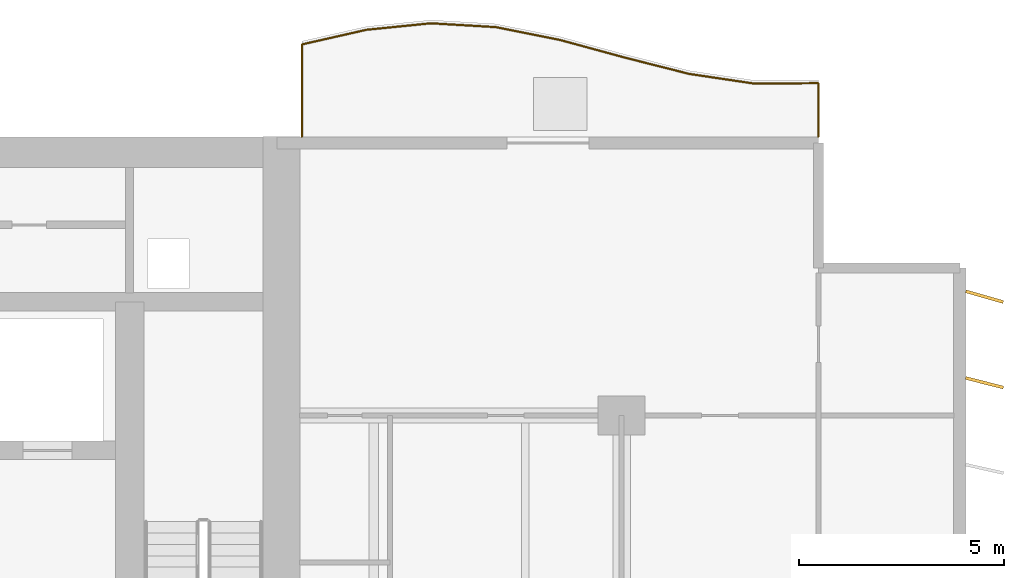
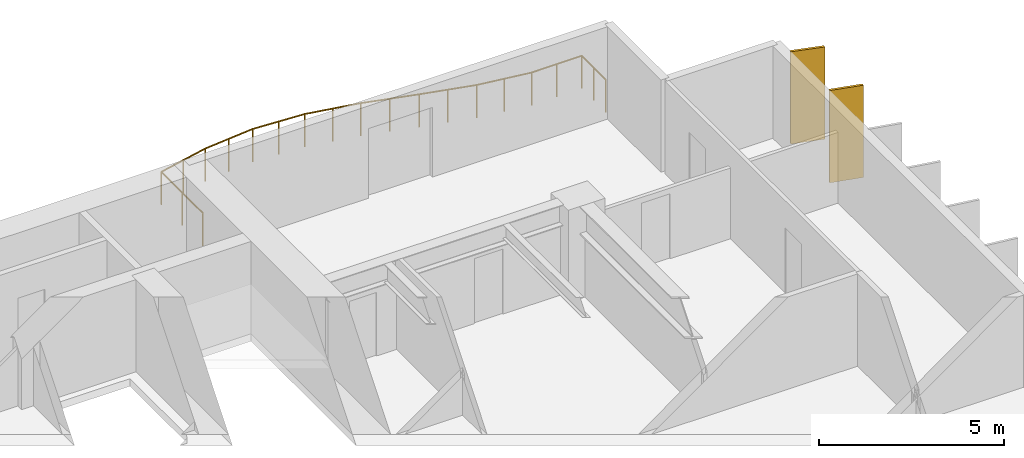
# One storey, part 18 of 18: 2 shading devices, 1 railing.
"""IFC4 building model written with IfcOpenShell, lengths in metres."""

from ifc_helpers import new_model, si_unit, direction, frame, origin, origin_2d, place, context, subcontext, project, spatial, rectangle, circle, extrude, material, material_profile, profile_set, type_object, element, save


model = new_model("IFC4")

# Units and contexts
model_context = context("Model", 3, precision=1e-05, world=origin(), true_north=direction((0.0, 1.0)))
body_context = subcontext(model_context, "Body", "Model", "MODEL_VIEW")
ifc_project = project(units=[si_unit("LENGTHUNIT", "METRE"), si_unit("AREAUNIT", "SQUARE_METRE"), si_unit("VOLUMEUNIT", "CUBIC_METRE"), si_unit("PLANEANGLEUNIT", "RADIAN"), si_unit("MASSUNIT", "GRAM", prefix="KILO")], contexts=[model_context])

# Site, building, storey
site_placement = place(None, origin())
site = spatial("IfcSite", under=ifc_project, at=site_placement, CompositionType="ELEMENT")
building_placement = place(site_placement, origin())
building = spatial("IfcBuilding", under=site, at=building_placement, Name="Caelmar Bay Residences", CompositionType="ELEMENT")
storey_placement = place(building_placement, frame((0.0, 0.0, 56.39990234375)))
storey = spatial("IfcBuildingStorey", under=building, at=storey_placement, Name="L14", CompositionType="ELEMENT", Elevation=56.39990234375)

# Railing
ifc_material_1 = material(Name="Anodised bronze handrail with laminated hurricane glass infill", Category="glass")
railing_type = type_object("IfcRailingType", Name="RL-BAL-1100", PredefinedType="BALUSTRADE", material=ifc_material_1)
railing_placement = place(storey_placement, frame((72.699951171875, 50.60009765625, 0.0)))
element("IfcRailing", 1, at=railing_placement, inside=storey, type_object=railing_type, Name="L14 north_east Balcony Balustrade", PredefinedType="BALUSTRADE", context=body_context, shape_type="SweptSolid", body=[
    extrude(circle(Radius=0.02392578125, at=origin_2d()), frame((0.0, 0.0, 1.076171875), z_axis=(0.0, 1.0, 0.0), x_axis=(-1.0, 0.0, 0.0)), (0.0, 0.0, 1.0), 1.306640625),
    extrude(circle(Radius=0.02392578125, at=origin_2d()), frame((0.0, 1.306640625, 1.076171875), z_axis=(-0.999985282216, -0.005425435572, 0.0), x_axis=(0.005425435572, -0.999985282216, 0.0)), (0.0, 0.0, 1.0), 1.574951171875),
    extrude(circle(Radius=0.02392578125, at=origin_2d()), frame((-1.574951171875, 1.298095703125, 1.076171875), z_axis=(-0.989085424224, 0.147343216971, 0.0), x_axis=(-0.147343216971, -0.989085424224, 0.0)), (0.0, 0.0, 1.0), 1.59228515625),
    extrude(circle(Radius=0.02392578125, at=origin_2d()), frame((-3.14990234375, 1.53271484375, 1.076171875), z_axis=(-0.969386499063, 0.245539844903, 0.0), x_axis=(-0.245539844903, -0.969386499063, 0.0)), (0.0, 0.0, 1.0), 1.624755859375),
    extrude(circle(Radius=0.02392578125, at=origin_2d()), frame((-4.724853515625, 1.931640625, 1.076171875), z_axis=(-0.964901735342, 0.262611197654, 0.0), x_axis=(-0.262611197654, -0.964901735342, 0.0)), (0.0, 0.0, 1.0), 1.632568359375),
    extrude(circle(Radius=0.02392578125, at=origin_2d()), frame((-6.300048828125, 2.3603515625, 1.076171875), z_axis=(-0.980703271668, 0.195502155846, 0.0), x_axis=(-0.195502155846, -0.980703271668, 0.0)), (0.0, 0.0, 1.0), 1.60595703125),
    extrude(circle(Radius=0.02392578125, at=origin_2d()), frame((-7.875, 2.67431640625, 1.076171875), z_axis=(-0.99825135222, 0.059112078212, 0.0), x_axis=(-0.059112078212, -0.99825135222, 0.0)), (0.0, 0.0, 1.0), 1.57763671875),
    extrude(circle(Radius=0.02392578125, at=origin_2d()), frame((-9.449951171875, 2.767578125, 1.076171875), z_axis=(-0.994962082578, -0.100251953755, 0.0), x_axis=(0.100251953755, -0.994962082578, 0.0)), (0.0, 0.0, 1.0), 1.5830078125),
    extrude(circle(Radius=0.02392578125, at=origin_2d()), frame((-11.02490234375, 2.60888671875, 1.076171875), z_axis=(-0.975235218477, -0.221170225489, 0.0), x_axis=(0.221170225489, -0.975235218477, 0.0)), (0.0, 0.0, 1.0), 1.614990234375),
    extrude(circle(Radius=0.02392578125, at=origin_2d()), frame((-12.599853515625, 2.251708984375, 1.076171875), z_axis=(0.0, -1.0, 0.0), x_axis=(1.0, 0.0, 0.0)), (0.0, 0.0, 1.0), 2.251708984375),
    extrude(circle(Radius=0.02099609375, at=origin_2d()), origin(), (0.0, 0.0, 1.0), 1.052001953125),
    extrude(circle(Radius=0.02099609375, at=origin_2d()), frame((0.0, 0.6533203125, 0.0)), (0.0, 0.0, 1.0), 1.052001953125),
    extrude(circle(Radius=0.02099609375, at=origin_2d()), frame((0.0, 1.306640625, 0.0)), (0.0, 0.0, 1.0), 1.052001953125),
    extrude(circle(Radius=0.02099609375, at=origin_2d()), frame((-0.78759765625, 1.30224609375, 0.0)), (0.0, 0.0, 1.0), 1.052001953125),
    extrude(circle(Radius=0.02099609375, at=origin_2d()), frame((-1.574951171875, 1.298095703125, 0.0)), (0.0, 0.0, 1.0), 1.052001953125),
    extrude(circle(Radius=0.02099609375, at=origin_2d()), frame((-2.3623046875, 1.41552734375, 0.0)), (0.0, 0.0, 1.0), 1.052001953125),
    extrude(circle(Radius=0.02099609375, at=origin_2d()), frame((-3.14990234375, 1.53271484375, 0.0)), (0.0, 0.0, 1.0), 1.052001953125),
    extrude(circle(Radius=0.02099609375, at=origin_2d()), frame((-3.9375, 1.732177734375, 0.0)), (0.0, 0.0, 1.0), 1.052001953125),
    extrude(circle(Radius=0.02099609375, at=origin_2d()), frame((-4.724853515625, 1.931640625, 0.0)), (0.0, 0.0, 1.0), 1.052001953125),
    extrude(circle(Radius=0.02099609375, at=origin_2d()), frame((-5.512451171875, 2.14599609375, 0.0)), (0.0, 0.0, 1.0), 1.052001953125),
    extrude(circle(Radius=0.02099609375, at=origin_2d()), frame((-6.300048828125, 2.3603515625, 0.0)), (0.0, 0.0, 1.0), 1.052001953125),
    extrude(circle(Radius=0.02099609375, at=origin_2d()), frame((-7.08740234375, 2.517333984375, 0.0)), (0.0, 0.0, 1.0), 1.052001953125),
    extrude(circle(Radius=0.02099609375, at=origin_2d()), frame((-7.875, 2.67431640625, 0.0)), (0.0, 0.0, 1.0), 1.052001953125),
    extrude(circle(Radius=0.02099609375, at=origin_2d()), frame((-8.66259765625, 2.720947265625, 0.0)), (0.0, 0.0, 1.0), 1.052001953125),
    extrude(circle(Radius=0.02099609375, at=origin_2d()), frame((-9.449951171875, 2.767578125, 0.0)), (0.0, 0.0, 1.0), 1.052001953125),
    extrude(circle(Radius=0.02099609375, at=origin_2d()), frame((-10.2373046875, 2.688232421875, 0.0)), (0.0, 0.0, 1.0), 1.052001953125),
    extrude(circle(Radius=0.02099609375, at=origin_2d()), frame((-11.02490234375, 2.60888671875, 0.0)), (0.0, 0.0, 1.0), 1.052001953125),
    extrude(circle(Radius=0.02099609375, at=origin_2d()), frame((-11.8125, 2.43017578125, 0.0)), (0.0, 0.0, 1.0), 1.052001953125),
    extrude(circle(Radius=0.02099609375, at=origin_2d()), frame((-12.599853515625, 2.251708984375, 0.0)), (0.0, 0.0, 1.0), 1.052001953125),
    extrude(circle(Radius=0.02099609375, at=origin_2d()), frame((-12.599853515625, 1.1259765625, 0.0)), (0.0, 0.0, 1.0), 1.052001953125),
    extrude(circle(Radius=0.02099609375, at=origin_2d()), frame((-12.599853515625, 0.0, 0.0)), (0.0, 0.0, 1.0), 1.052001953125),
])

# Shading devices
ifc_material_2 = material(Name="Anodised architectural bronze aluminium 6063-T6", Category="aluminium")
ifc_material_profile = material_profile(ifc_material_2, rectangle(XDim=0.074951171875, YDim=0.949951171875, at=origin_2d()), Name="BRONZE-FIN-75X950")
ifc_profile_set = profile_set([ifc_material_profile], Name="Anodised architectural bronze aluminium 6063-T6")
shading_device_type = type_object("IfcShadingDeviceType", Name="SHD-FIN-950", PredefinedType="USERDEFINED", material=ifc_profile_set)
for number, where, z_axis, x_axis, name in (
    (2, (76.75, 44.60009765625, 0.0), (0.0, 0.0, 1.0), (0.247337247968, 0.968929453452, 0.0), "L14 East Bronze Solar Fin 19"),
    (3, (76.75, 46.699951171875, 0.0), (0.0, 0.0, 1.0), (0.275637355817, 0.961261695938, 0.0), "L14 East Bronze Solar Fin 20"),
):
    element("IfcShadingDevice", number, at=place(storey_placement, frame(where, z_axis=z_axis, x_axis=x_axis)), inside=storey, type_object=shading_device_type, Name=name, ObjectType="FIN", PredefinedType="USERDEFINED", context=body_context, shape_type="SweptSolid", body=[
        extrude(rectangle(XDim=0.074951171875, YDim=0.949951171875, at=origin_2d()), origin(), (0.0, 0.0, 1.0), 3.050048828125),
    ])

save(model, "model.ifc")
